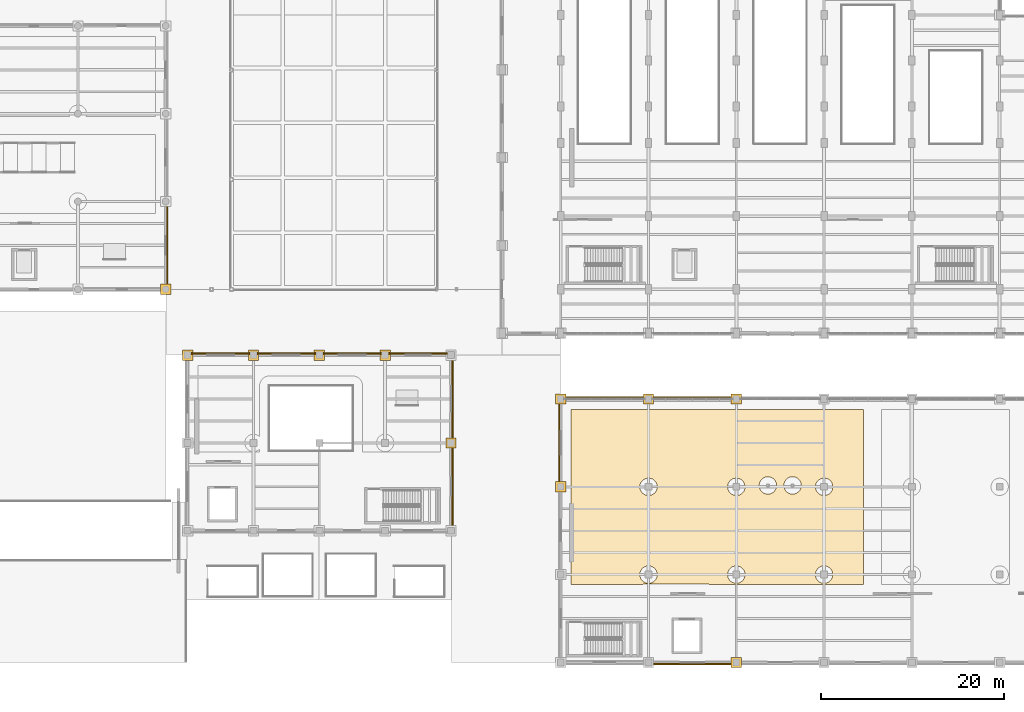
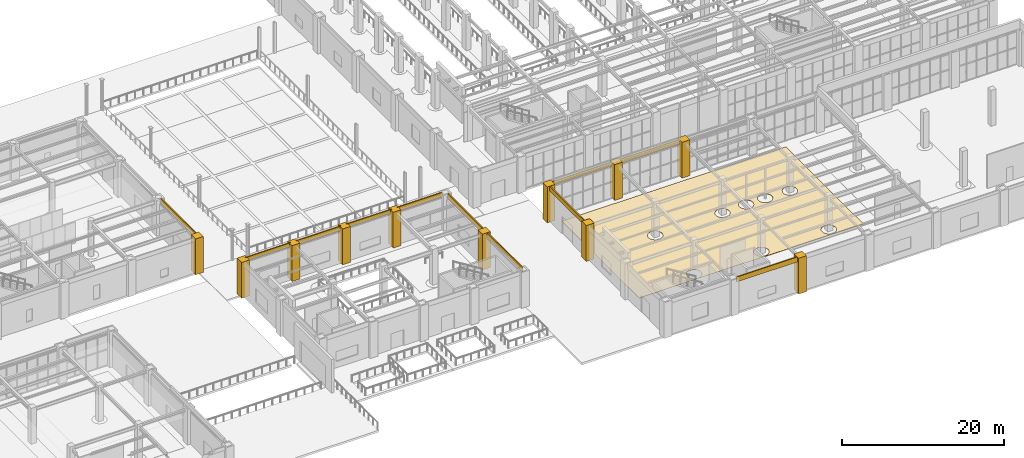
# One storey, part 150 of 164: 23 coverings.
"""IFC4 building model written with IfcOpenShell, lengths in metres."""

from ifc_helpers import new_model, si_unit, direction, frame, origin, place, context, subcontext, project, spatial, polyline, outline, extrude, material, layer, layer_set, type_object, element, save


model = new_model("IFC4")

# Units and contexts
model_context = context("Model", 3, precision=1e-05, world=origin(), true_north=direction((0.0, 1.0)))
body_context = subcontext(model_context, "Body", "Model", "MODEL_VIEW")
ifc_project = project(units=[si_unit("LENGTHUNIT", "METRE"), si_unit("AREAUNIT", "SQUARE_METRE"), si_unit("VOLUMEUNIT", "CUBIC_METRE"), si_unit("PLANEANGLEUNIT", "RADIAN"), si_unit("MASSUNIT", "GRAM", prefix="KILO")], contexts=[model_context])

# Site, building, storey
site_placement = place(None, origin())
site = spatial("IfcSite", under=ifc_project, at=site_placement, CompositionType="ELEMENT")
building_placement = place(site_placement, origin())
building = spatial("IfcBuilding", under=site, at=building_placement, Name="Mavantir Sound Aquarium", CompositionType="ELEMENT")
storey_placement = place(building_placement, origin())
storey = spatial("IfcBuildingStorey", under=building, at=storey_placement, Name="L00", CompositionType="ELEMENT", Elevation=0.0)

# Coverings
ifc_material_1 = material(Name="Honed Coral-Limestone & Glazed Terracotta Rainscreen Cladding", Category="masonry")
ifc_layer_1 = layer(ifc_material_1, 0.06005859375, Name="Honed Coral-Limestone & Glazed Terracotta Rainscreen Cladding")
ifc_layer_set_1 = layer_set([ifc_layer_1], Name="Honed Coral-Limestone & Glazed Terracotta Rainscreen Cladding")
covering_type_1 = type_object("IfcCoveringType", Name="COV-CLAD-TC", PredefinedType="CLADDING", material=ifc_layer_set_1)
covering_1_placement = place(storey_placement, frame((0.0, 0.0, 4.59912109375)))
element("IfcCovering", 1, at=covering_1_placement, inside=storey, type_object=covering_type_1, Name="L00 Postmodern coral-limestone spandrel frieze 31", PredefinedType="CLADDING", context=body_context, shape_type="SweptSolid", body=[
    extrude(outline(polyline([(64.889892578125, 41.18310546875), (64.889892578125, 50.01708984375), (65.0400390625, 50.01708984375), (65.0400390625, 41.18310546875), (64.889892578125, 41.18310546875)])), origin(), (0.0, 0.0, 1.0), 0.80078125),
])
covering_2_placement = place(storey_placement, frame((0.0, 0.0, 4.72802734375)))
element("IfcCovering", 2, at=covering_2_placement, inside=storey, type_object=covering_type_1, Name="L00 Postmodern coral-limestone spandrel frieze 131", PredefinedType="CLADDING", context=body_context, shape_type="SweptSolid", body=[
    extrude(outline(polyline([(126.81689453125, 28.889892578125), (117.98291015625, 28.889892578125), (117.98291015625, 29.0400390625), (126.81689453125, 29.0400390625), (126.81689453125, 28.889892578125)])), origin(), (0.0, 0.0, 1.0), 0.671875),
])
covering_3_placement = place(storey_placement, frame((0.0, 0.0, 4.8330078125)))
element("IfcCovering", 3, at=covering_3_placement, inside=storey, type_object=covering_type_1, Name="L00 Postmodern coral-limestone spandrel frieze 132", PredefinedType="CLADDING", context=body_context, shape_type="SweptSolid", body=[
    extrude(outline(polyline([(117.217041015625, 28.889892578125), (108.383056640625, 28.889892578125), (108.383056640625, 29.0400390625), (117.217041015625, 29.0400390625), (117.217041015625, 28.889892578125)])), origin(), (0.0, 0.0, 1.0), 0.56689453125),
])
covering_4_placement = place(storey_placement, frame((0.0, 0.0, 4.72802734375)))
element("IfcCovering", 4, at=covering_4_placement, inside=storey, type_object=covering_type_1, Name="L00 Postmodern coral-limestone spandrel frieze 133", PredefinedType="CLADDING", context=body_context, shape_type="SweptSolid", body=[
    extrude(outline(polyline([(107.909912109375, 28.4169921875), (107.909912109375, 19.5830078125), (107.760009765625, 19.5830078125), (107.760009765625, 28.4169921875), (107.909912109375, 28.4169921875)])), origin(), (0.0, 0.0, 1.0), 0.671875),
])
covering_5_placement = place(storey_placement, frame((0.0, 0.0, 4.657958984375)))
element("IfcCovering", 5, at=covering_5_placement, inside=storey, type_object=covering_type_1, Name="L00 Postmodern coral-limestone spandrel frieze 137", PredefinedType="CLADDING", context=body_context, shape_type="SweptSolid", body=[
    extrude(outline(polyline([(117.98291015625, -0.090087890625), (126.81689453125, -0.090087890625), (126.81689453125, -0.239990234375), (117.98291015625, -0.239990234375), (117.98291015625, -0.090087890625)])), origin(), (0.0, 0.0, 1.0), 0.741943359375),
])
covering_6_placement = place(storey_placement, frame((0.0, 0.0, 4.716064453125)))
element("IfcCovering", 6, at=covering_6_placement, inside=storey, type_object=covering_type_1, Name="L00 Postmodern coral-limestone spandrel frieze 143", PredefinedType="CLADDING", context=body_context, shape_type="SweptSolid", body=[
    extrude(outline(polyline([(96.090087890625, 14.782958984375), (96.090087890625, 23.616943359375), (96.239990234375, 23.616943359375), (96.239990234375, 14.782958984375), (96.090087890625, 14.782958984375)])), origin(), (0.0, 0.0, 1.0), 0.683837890625),
])
covering_7_placement = place(storey_placement, frame((0.0, 0.0, 4.59912109375)))
element("IfcCovering", 7, at=covering_7_placement, inside=storey, type_object=covering_type_1, Name="L00 Postmodern coral-limestone spandrel frieze 144", PredefinedType="CLADDING", context=body_context, shape_type="SweptSolid", body=[
    extrude(outline(polyline([(96.090087890625, 24.383056640625), (96.090087890625, 33.217041015625), (96.239990234375, 33.217041015625), (96.239990234375, 24.383056640625), (96.090087890625, 24.383056640625)])), origin(), (0.0, 0.0, 1.0), 0.80078125),
])
covering_8_placement = place(storey_placement, frame((0.0, 0.0, 4.7080078125)))
element("IfcCovering", 8, at=covering_8_placement, inside=storey, type_object=covering_type_1, Name="L00 Postmodern coral-limestone spandrel frieze 145", PredefinedType="CLADDING", context=body_context, shape_type="SweptSolid", body=[
    extrude(outline(polyline([(95.616943359375, 33.68994140625), (89.18310546875, 33.68994140625), (89.18310546875, 33.840087890625), (95.616943359375, 33.840087890625), (95.616943359375, 33.68994140625)])), origin(), (0.0, 0.0, 1.0), 0.69189453125),
])
covering_9_placement = place(storey_placement, frame((0.0, 0.0, 4.81298828125)))
element("IfcCovering", 9, at=covering_9_placement, inside=storey, type_object=covering_type_1, Name="L00 Postmodern coral-limestone spandrel frieze 146", PredefinedType="CLADDING", context=body_context, shape_type="SweptSolid", body=[
    extrude(outline(polyline([(88.4169921875, 33.68994140625), (81.98291015625, 33.68994140625), (81.98291015625, 33.840087890625), (88.4169921875, 33.840087890625), (88.4169921875, 33.68994140625)])), origin(), (0.0, 0.0, 1.0), 0.5869140625),
])
covering_10_placement = place(storey_placement, frame((0.0, 0.0, 4.7080078125)))
element("IfcCovering", 10, at=covering_10_placement, inside=storey, type_object=covering_type_1, Name="L00 Postmodern coral-limestone spandrel frieze 147", PredefinedType="CLADDING", context=body_context, shape_type="SweptSolid", body=[
    extrude(outline(polyline([(81.217041015625, 33.68994140625), (74.782958984375, 33.68994140625), (74.782958984375, 33.840087890625), (81.217041015625, 33.840087890625), (81.217041015625, 33.68994140625)])), origin(), (0.0, 0.0, 1.0), 0.69189453125),
])
covering_11_placement = place(storey_placement, frame((0.0, 0.0, 4.81298828125)))
element("IfcCovering", 11, at=covering_11_placement, inside=storey, type_object=covering_type_1, Name="L00 Postmodern coral-limestone spandrel frieze 148", PredefinedType="CLADDING", context=body_context, shape_type="SweptSolid", body=[
    extrude(outline(polyline([(74.01708984375, 33.68994140625), (67.5830078125, 33.68994140625), (67.5830078125, 33.840087890625), (74.01708984375, 33.840087890625), (74.01708984375, 33.68994140625)])), origin(), (0.0, 0.0, 1.0), 0.5869140625),
])
covering_12_placement = place(storey_placement, origin())
element("IfcCovering", 12, at=covering_12_placement, inside=storey, type_object=covering_type_1, Name="L00 Postmodern coral-limestone pilaster casing 151", PredefinedType="CLADDING", context=body_context, shape_type="SweptSolid", body=[
    extrude(outline(polyline([(64.239990234375, 40.239990234375), (65.360107421875, 40.239990234375), (65.360107421875, 41.360107421875), (64.239990234375, 41.360107421875), (64.239990234375, 40.239990234375)])), origin(), (0.0, 0.0, 1.0), 5.39990234375),
])
covering_13_placement = place(storey_placement, origin())
element("IfcCovering", 13, at=covering_13_placement, inside=storey, type_object=covering_type_1, Name="L00 Postmodern coral-limestone pilaster casing 425", PredefinedType="CLADDING", context=body_context, shape_type="SweptSolid", body=[
    extrude(outline(polyline([(107.43994140625, 18.639892578125), (108.56005859375, 18.639892578125), (108.56005859375, 19.760009765625), (107.43994140625, 19.760009765625), (107.43994140625, 18.639892578125)])), origin(), (0.0, 0.0, 1.0), 5.39990234375),
])
covering_14_placement = place(storey_placement, origin())
element("IfcCovering", 14, at=covering_14_placement, inside=storey, type_object=covering_type_1, Name="L00 Postmodern coral-limestone pilaster casing 429", PredefinedType="CLADDING", context=body_context, shape_type="SweptSolid", body=[
    extrude(outline(polyline([(107.43994140625, 28.239990234375), (108.56005859375, 28.239990234375), (108.56005859375, 29.360107421875), (107.43994140625, 29.360107421875), (107.43994140625, 28.239990234375)])), origin(), (0.0, 0.0, 1.0), 5.39990234375),
])
covering_15_placement = place(storey_placement, origin())
element("IfcCovering", 15, at=covering_15_placement, inside=storey, type_object=covering_type_1, Name="L00 Postmodern coral-limestone pilaster casing 437", PredefinedType="CLADDING", context=body_context, shape_type="SweptSolid", body=[
    extrude(outline(polyline([(117.0400390625, 28.239990234375), (118.159912109375, 28.239990234375), (118.159912109375, 29.360107421875), (117.0400390625, 29.360107421875), (117.0400390625, 28.239990234375)])), origin(), (0.0, 0.0, 1.0), 5.39990234375),
])
covering_16_placement = place(storey_placement, origin())
element("IfcCovering", 16, at=covering_16_placement, inside=storey, type_object=covering_type_1, Name="L00 Postmodern coral-limestone pilaster casing 438", PredefinedType="CLADDING", context=body_context, shape_type="SweptSolid", body=[
    extrude(outline(polyline([(126.639892578125, -0.56005859375), (127.760009765625, -0.56005859375), (127.760009765625, 0.56005859375), (126.639892578125, 0.56005859375), (126.639892578125, -0.56005859375)])), origin(), (0.0, 0.0, 1.0), 5.39990234375),
])
covering_17_placement = place(storey_placement, origin())
element("IfcCovering", 17, at=covering_17_placement, inside=storey, type_object=covering_type_1, Name="L00 Postmodern coral-limestone pilaster casing 446", PredefinedType="CLADDING", context=body_context, shape_type="SweptSolid", body=[
    extrude(outline(polyline([(126.639892578125, 28.239990234375), (127.760009765625, 28.239990234375), (127.760009765625, 29.360107421875), (126.639892578125, 29.360107421875), (126.639892578125, 28.239990234375)])), origin(), (0.0, 0.0, 1.0), 5.39990234375),
])
covering_18_placement = place(storey_placement, origin())
element("IfcCovering", 18, at=covering_18_placement, inside=storey, type_object=covering_type_1, Name="L00 Postmodern coral-limestone pilaster casing 471", PredefinedType="CLADDING", context=body_context, shape_type="SweptSolid", body=[
    extrude(outline(polyline([(66.639892578125, 33.0400390625), (67.760009765625, 33.0400390625), (67.760009765625, 34.159912109375), (66.639892578125, 34.159912109375), (66.639892578125, 33.0400390625)])), origin(), (0.0, 0.0, 1.0), 5.39990234375),
])
covering_19_placement = place(storey_placement, origin())
element("IfcCovering", 19, at=covering_19_placement, inside=storey, type_object=covering_type_1, Name="L00 Postmodern coral-limestone pilaster casing 475", PredefinedType="CLADDING", context=body_context, shape_type="SweptSolid", body=[
    extrude(outline(polyline([(73.840087890625, 33.0400390625), (74.9599609375, 33.0400390625), (74.9599609375, 34.159912109375), (73.840087890625, 34.159912109375), (73.840087890625, 33.0400390625)])), origin(), (0.0, 0.0, 1.0), 5.39990234375),
])
covering_20_placement = place(storey_placement, origin())
element("IfcCovering", 20, at=covering_20_placement, inside=storey, type_object=covering_type_1, Name="L00 Postmodern coral-limestone pilaster casing 479", PredefinedType="CLADDING", context=body_context, shape_type="SweptSolid", body=[
    extrude(outline(polyline([(81.0400390625, 33.0400390625), (82.159912109375, 33.0400390625), (82.159912109375, 34.159912109375), (81.0400390625, 34.159912109375), (81.0400390625, 33.0400390625)])), origin(), (0.0, 0.0, 1.0), 5.39990234375),
])
covering_21_placement = place(storey_placement, origin())
element("IfcCovering", 21, at=covering_21_placement, inside=storey, type_object=covering_type_1, Name="L00 Postmodern coral-limestone pilaster casing 483", PredefinedType="CLADDING", context=body_context, shape_type="SweptSolid", body=[
    extrude(outline(polyline([(88.239990234375, 33.0400390625), (89.360107421875, 33.0400390625), (89.360107421875, 34.159912109375), (88.239990234375, 34.159912109375), (88.239990234375, 33.0400390625)])), origin(), (0.0, 0.0, 1.0), 5.39990234375),
])
covering_22_placement = place(storey_placement, origin())
element("IfcCovering", 22, at=covering_22_placement, inside=storey, type_object=covering_type_1, Name="L00 Postmodern coral-limestone pilaster casing 487", PredefinedType="CLADDING", context=body_context, shape_type="SweptSolid", body=[
    extrude(outline(polyline([(95.43994140625, 23.43994140625), (96.56005859375, 23.43994140625), (96.56005859375, 24.56005859375), (95.43994140625, 24.56005859375), (95.43994140625, 23.43994140625)])), origin(), (0.0, 0.0, 1.0), 5.39990234375),
])
ifc_material_2 = material(Name="Marine Epoxy Recycled-Shell Terrazzo Flooring")
ifc_layer_2 = layer(ifc_material_2, 0.030029296875, Name="Marine Epoxy Recycled-Shell Terrazzo Flooring")
ifc_layer_set_2 = layer_set([ifc_layer_2], Name="Marine Epoxy Recycled-Shell Terrazzo Flooring")
covering_type_2 = type_object("IfcCoveringType", Name="COV-FLR-TZ", PredefinedType="FLOORING", material=ifc_layer_set_2)
covering_23_placement = place(storey_placement, origin())
element("IfcCovering", 23, at=covering_23_placement, inside=storey, type_object=covering_type_2, Name="L00 Marine Quarantine and Veterinary Hospital Suite terrazzo flooring", PredefinedType="FLOORING", context=body_context, shape_type="SweptSolid", body=[
    extrude(outline(polyline([(124.375732421875, 8.5029296875), (124.3701171875, 8.5048828125), (124.281982421875, 8.531494140625), (124.2763671875, 8.53271484375), (124.19970703125, 8.548095703125), (124.19384765625, 8.549072265625), (124.1015625, 8.55859375), (124.095703125, 8.558837890625), (124.050048828125, 8.56005859375), (119.949951171875, 8.56005859375), (119.9453125, 8.56005859375), (109.139892578125, 8.504638671875), (109.139892578125, 27.659912109375), (141.10009765625, 27.659912109375), (141.10009765625, 8.5), (124.3828125, 8.5), (124.375732421875, 8.5029296875)]), holes=[polyline([(118.271728515625, 8.92822265625), (118.33447265625, 8.997314453125), (118.389892578125, 9.072265625), (118.437744140625, 9.152099609375), (118.477783203125, 9.236572265625), (118.509033203125, 9.32421875), (118.53173828125, 9.414794921875), (118.54541015625, 9.5068359375), (118.550048828125, 9.60009765625), (118.54541015625, 9.693115234375), (118.53173828125, 9.785400390625), (118.509033203125, 9.875732421875), (118.477783203125, 9.96337890625), (118.437744140625, 10.0478515625), (118.389892578125, 10.127685546875), (118.33447265625, 10.20263671875), (118.271728515625, 10.271728515625), (118.20263671875, 10.33447265625), (118.127685546875, 10.389892578125), (118.0478515625, 10.437744140625), (117.96337890625, 10.477783203125), (117.875732421875, 10.509033203125), (117.785400390625, 10.53173828125), (117.693115234375, 10.54541015625), (117.60009765625, 10.550048828125), (117.5068359375, 10.54541015625), (117.414794921875, 10.53173828125), (117.32421875, 10.509033203125), (117.236572265625, 10.477783203125), (117.152099609375, 10.437744140625), (117.072265625, 10.389892578125), (116.997314453125, 10.33447265625), (116.92822265625, 10.271728515625), (116.865478515625, 10.20263671875), (116.81005859375, 10.127685546875), (116.76220703125, 10.0478515625), (116.722412109375, 9.96337890625), (116.69091796875, 9.875732421875), (116.668212890625, 9.785400390625), (116.654541015625, 9.693115234375), (116.64990234375, 9.60009765625), (116.654541015625, 9.5068359375), (116.668212890625, 9.414794921875), (116.69091796875, 9.32421875), (116.722412109375, 9.236572265625), (116.76220703125, 9.152099609375), (116.81005859375, 9.072265625), (116.865478515625, 8.997314453125), (116.92822265625, 8.92822265625), (116.997314453125, 8.865478515625), (117.072265625, 8.81005859375), (117.152099609375, 8.76220703125), (117.236572265625, 8.722412109375), (117.32421875, 8.69091796875), (117.414794921875, 8.668212890625), (117.5068359375, 8.654541015625), (117.60009765625, 8.64990234375), (117.693115234375, 8.654541015625), (117.785400390625, 8.668212890625), (117.875732421875, 8.69091796875), (117.96337890625, 8.722412109375), (118.0478515625, 8.76220703125), (118.127685546875, 8.81005859375), (118.20263671875, 8.865478515625), (118.271728515625, 8.92822265625)]), polyline([(137.534423828125, 8.997314453125), (137.58984375, 9.072265625), (137.6376953125, 9.152099609375), (137.677734375, 9.236572265625), (137.708984375, 9.32421875), (137.731689453125, 9.414794921875), (137.745361328125, 9.5068359375), (137.75, 9.60009765625), (137.745361328125, 9.693115234375), (137.731689453125, 9.785400390625), (137.708984375, 9.875732421875), (137.677734375, 9.96337890625), (137.6376953125, 10.0478515625), (137.58984375, 10.127685546875), (137.534423828125, 10.20263671875), (137.4716796875, 10.271728515625), (137.402587890625, 10.33447265625), (137.327880859375, 10.389892578125), (137.247802734375, 10.437744140625), (137.16357421875, 10.477783203125), (137.07568359375, 10.509033203125), (136.9853515625, 10.53173828125), (136.89306640625, 10.54541015625), (136.800048828125, 10.550048828125), (136.706787109375, 10.54541015625), (136.61474609375, 10.53173828125), (136.524169921875, 10.509033203125), (136.4365234375, 10.477783203125), (136.352294921875, 10.437744140625), (136.272216796875, 10.389892578125), (136.197265625, 10.33447265625), (136.128173828125, 10.271728515625), (136.065673828125, 10.20263671875), (136.010009765625, 10.127685546875), (135.962158203125, 10.0478515625), (135.92236328125, 9.96337890625), (135.890869140625, 9.875732421875), (135.868408203125, 9.785400390625), (135.8544921875, 9.693115234375), (135.85009765625, 9.60009765625), (135.8544921875, 9.5068359375), (135.868408203125, 9.414794921875), (135.890869140625, 9.32421875), (135.92236328125, 9.236572265625), (135.962158203125, 9.152099609375), (136.010009765625, 9.072265625), (136.065673828125, 8.997314453125), (136.128173828125, 8.92822265625), (136.197265625, 8.865478515625), (136.272216796875, 8.81005859375), (136.352294921875, 8.76220703125), (136.4365234375, 8.722412109375), (136.524169921875, 8.69091796875), (136.61474609375, 8.668212890625), (136.706787109375, 8.654541015625), (136.800048828125, 8.64990234375), (136.89306640625, 8.654541015625), (136.9853515625, 8.668212890625), (137.07568359375, 8.69091796875), (137.16357421875, 8.722412109375), (137.247802734375, 8.76220703125), (137.327880859375, 8.81005859375), (137.402587890625, 8.865478515625), (137.4716796875, 8.92822265625), (137.534423828125, 8.997314453125)]), polyline([(127.934326171875, 8.997314453125), (127.989990234375, 9.072265625), (128.037841796875, 9.152099609375), (128.07763671875, 9.236572265625), (128.109130859375, 9.32421875), (128.131591796875, 9.414794921875), (128.1455078125, 9.5068359375), (128.14990234375, 9.60009765625), (128.1455078125, 9.693115234375), (128.131591796875, 9.785400390625), (128.109130859375, 9.875732421875), (128.07763671875, 9.96337890625), (128.037841796875, 10.0478515625), (127.989990234375, 10.127685546875), (127.934326171875, 10.20263671875), (127.871826171875, 10.271728515625), (127.802734375, 10.33447265625), (127.727783203125, 10.389892578125), (127.647705078125, 10.437744140625), (127.5634765625, 10.477783203125), (127.475830078125, 10.509033203125), (127.38525390625, 10.53173828125), (127.293212890625, 10.54541015625), (127.199951171875, 10.550048828125), (127.10693359375, 10.54541015625), (127.0146484375, 10.53173828125), (126.92431640625, 10.509033203125), (126.83642578125, 10.477783203125), (126.752197265625, 10.437744140625), (126.672119140625, 10.389892578125), (126.597412109375, 10.33447265625), (126.5283203125, 10.271728515625), (126.465576171875, 10.20263671875), (126.41015625, 10.127685546875), (126.3623046875, 10.0478515625), (126.322265625, 9.96337890625), (126.291015625, 9.875732421875), (126.268310546875, 9.785400390625), (126.254638671875, 9.693115234375), (126.25, 9.60009765625), (126.254638671875, 9.5068359375), (126.268310546875, 9.414794921875), (126.291015625, 9.32421875), (126.322265625, 9.236572265625), (126.3623046875, 9.152099609375), (126.41015625, 9.072265625), (126.465576171875, 8.997314453125), (126.5283203125, 8.92822265625), (126.597412109375, 8.865478515625), (126.672119140625, 8.81005859375), (126.752197265625, 8.76220703125), (126.83642578125, 8.722412109375), (126.92431640625, 8.69091796875), (127.0146484375, 8.668212890625), (127.10693359375, 8.654541015625), (127.199951171875, 8.64990234375), (127.293212890625, 8.654541015625), (127.38525390625, 8.668212890625), (127.475830078125, 8.69091796875), (127.5634765625, 8.722412109375), (127.647705078125, 8.76220703125), (127.727783203125, 8.81005859375), (127.802734375, 8.865478515625), (127.871826171875, 8.92822265625), (127.934326171875, 8.997314453125)]), polyline([(118.33447265625, 18.597412109375), (118.389892578125, 18.672119140625), (118.437744140625, 18.752197265625), (118.477783203125, 18.83642578125), (118.509033203125, 18.92431640625), (118.53173828125, 19.0146484375), (118.54541015625, 19.10693359375), (118.550048828125, 19.199951171875), (118.54541015625, 19.293212890625), (118.53173828125, 19.38525390625), (118.509033203125, 19.475830078125), (118.477783203125, 19.5634765625), (118.437744140625, 19.647705078125), (118.389892578125, 19.727783203125), (118.33447265625, 19.802734375), (118.271728515625, 19.871826171875), (118.20263671875, 19.934326171875), (118.127685546875, 19.989990234375), (118.0478515625, 20.037841796875), (117.96337890625, 20.07763671875), (117.875732421875, 20.109130859375), (117.785400390625, 20.131591796875), (117.693115234375, 20.1455078125), (117.60009765625, 20.14990234375), (117.5068359375, 20.1455078125), (117.414794921875, 20.131591796875), (117.32421875, 20.109130859375), (117.236572265625, 20.07763671875), (117.152099609375, 20.037841796875), (117.072265625, 19.989990234375), (116.997314453125, 19.934326171875), (116.92822265625, 19.871826171875), (116.865478515625, 19.802734375), (116.81005859375, 19.727783203125), (116.76220703125, 19.647705078125), (116.722412109375, 19.5634765625), (116.69091796875, 19.475830078125), (116.668212890625, 19.38525390625), (116.654541015625, 19.293212890625), (116.64990234375, 19.199951171875), (116.654541015625, 19.10693359375), (116.668212890625, 19.0146484375), (116.69091796875, 18.92431640625), (116.722412109375, 18.83642578125), (116.76220703125, 18.752197265625), (116.81005859375, 18.672119140625), (116.865478515625, 18.597412109375), (116.92822265625, 18.5283203125), (116.997314453125, 18.465576171875), (117.072265625, 18.41015625), (117.152099609375, 18.3623046875), (117.236572265625, 18.322265625), (117.32421875, 18.291015625), (117.414794921875, 18.268310546875), (117.5068359375, 18.254638671875), (117.60009765625, 18.25), (117.693115234375, 18.254638671875), (117.785400390625, 18.268310546875), (117.875732421875, 18.291015625), (117.96337890625, 18.322265625), (118.0478515625, 18.3623046875), (118.127685546875, 18.41015625), (118.20263671875, 18.465576171875), (118.271728515625, 18.5283203125), (118.33447265625, 18.597412109375)]), polyline([(137.534423828125, 18.597412109375), (137.58984375, 18.672119140625), (137.6376953125, 18.752197265625), (137.677734375, 18.83642578125), (137.708984375, 18.92431640625), (137.731689453125, 19.0146484375), (137.745361328125, 19.10693359375), (137.75, 19.199951171875), (137.745361328125, 19.293212890625), (137.731689453125, 19.38525390625), (137.708984375, 19.475830078125), (137.677734375, 19.5634765625), (137.6376953125, 19.647705078125), (137.58984375, 19.727783203125), (137.534423828125, 19.802734375), (137.4716796875, 19.871826171875), (137.402587890625, 19.934326171875), (137.327880859375, 19.989990234375), (137.247802734375, 20.037841796875), (137.16357421875, 20.07763671875), (137.07568359375, 20.109130859375), (136.9853515625, 20.131591796875), (136.89306640625, 20.1455078125), (136.800048828125, 20.14990234375), (136.706787109375, 20.1455078125), (136.61474609375, 20.131591796875), (136.524169921875, 20.109130859375), (136.4365234375, 20.07763671875), (136.352294921875, 20.037841796875), (136.272216796875, 19.989990234375), (136.197265625, 19.934326171875), (136.128173828125, 19.871826171875), (136.065673828125, 19.802734375), (136.010009765625, 19.727783203125), (135.962158203125, 19.647705078125), (135.92236328125, 19.5634765625), (135.890869140625, 19.475830078125), (135.868408203125, 19.38525390625), (135.8544921875, 19.293212890625), (135.85009765625, 19.199951171875), (135.8544921875, 19.10693359375), (135.868408203125, 19.0146484375), (135.890869140625, 18.92431640625), (135.92236328125, 18.83642578125), (135.962158203125, 18.752197265625), (136.010009765625, 18.672119140625), (136.065673828125, 18.597412109375), (136.128173828125, 18.5283203125), (136.197265625, 18.465576171875), (136.272216796875, 18.41015625), (136.352294921875, 18.3623046875), (136.4365234375, 18.322265625), (136.524169921875, 18.291015625), (136.61474609375, 18.268310546875), (136.706787109375, 18.254638671875), (136.800048828125, 18.25), (136.89306640625, 18.254638671875), (136.9853515625, 18.268310546875), (137.07568359375, 18.291015625), (137.16357421875, 18.322265625), (137.247802734375, 18.3623046875), (137.327880859375, 18.41015625), (137.402587890625, 18.465576171875), (137.4716796875, 18.5283203125), (137.534423828125, 18.597412109375)]), polyline([(127.934326171875, 18.597412109375), (127.989990234375, 18.672119140625), (128.037841796875, 18.752197265625), (128.07763671875, 18.83642578125), (128.109130859375, 18.92431640625), (128.131591796875, 19.0146484375), (128.1455078125, 19.10693359375), (128.14990234375, 19.199951171875), (128.1455078125, 19.293212890625), (128.131591796875, 19.38525390625), (128.109130859375, 19.475830078125), (128.07763671875, 19.5634765625), (128.037841796875, 19.647705078125), (127.989990234375, 19.727783203125), (127.934326171875, 19.802734375), (127.871826171875, 19.871826171875), (127.802734375, 19.934326171875), (127.727783203125, 19.989990234375), (127.647705078125, 20.037841796875), (127.5634765625, 20.07763671875), (127.475830078125, 20.109130859375), (127.38525390625, 20.131591796875), (127.293212890625, 20.1455078125), (127.199951171875, 20.14990234375), (127.10693359375, 20.1455078125), (127.0146484375, 20.131591796875), (126.92431640625, 20.109130859375), (126.83642578125, 20.07763671875), (126.752197265625, 20.037841796875), (126.672119140625, 19.989990234375), (126.597412109375, 19.934326171875), (126.5283203125, 19.871826171875), (126.465576171875, 19.802734375), (126.41015625, 19.727783203125), (126.3623046875, 19.647705078125), (126.322265625, 19.5634765625), (126.291015625, 19.475830078125), (126.268310546875, 19.38525390625), (126.254638671875, 19.293212890625), (126.25, 19.199951171875), (126.254638671875, 19.10693359375), (126.268310546875, 19.0146484375), (126.291015625, 18.92431640625), (126.322265625, 18.83642578125), (126.3623046875, 18.752197265625), (126.41015625, 18.672119140625), (126.465576171875, 18.597412109375), (126.5283203125, 18.5283203125), (126.597412109375, 18.465576171875), (126.672119140625, 18.41015625), (126.752197265625, 18.3623046875), (126.83642578125, 18.322265625), (126.92431640625, 18.291015625), (127.0146484375, 18.268310546875), (127.10693359375, 18.254638671875), (127.199951171875, 18.25), (127.293212890625, 18.254638671875), (127.38525390625, 18.268310546875), (127.475830078125, 18.291015625), (127.5634765625, 18.322265625), (127.647705078125, 18.3623046875), (127.727783203125, 18.41015625), (127.802734375, 18.465576171875), (127.871826171875, 18.5283203125), (127.934326171875, 18.597412109375)]), polyline([(134.08447265625, 18.747314453125), (134.139892578125, 18.822265625), (134.187744140625, 18.902099609375), (134.227783203125, 18.986572265625), (134.259033203125, 19.07421875), (134.28173828125, 19.164794921875), (134.29541015625, 19.2568359375), (134.300048828125, 19.35009765625), (134.29541015625, 19.443115234375), (134.28173828125, 19.535400390625), (134.259033203125, 19.625732421875), (134.227783203125, 19.71337890625), (134.187744140625, 19.7978515625), (134.139892578125, 19.877685546875), (134.08447265625, 19.95263671875), (134.021728515625, 20.021728515625), (133.95263671875, 20.08447265625), (133.877685546875, 20.139892578125), (133.7978515625, 20.187744140625), (133.71337890625, 20.227783203125), (133.625732421875, 20.259033203125), (133.535400390625, 20.28173828125), (133.443115234375, 20.29541015625), (133.35009765625, 20.300048828125), (133.2568359375, 20.29541015625), (133.164794921875, 20.28173828125), (133.07421875, 20.259033203125), (132.986572265625, 20.227783203125), (132.902099609375, 20.187744140625), (132.822265625, 20.139892578125), (132.747314453125, 20.08447265625), (132.67822265625, 20.021728515625), (132.615478515625, 19.95263671875), (132.56005859375, 19.877685546875), (132.51220703125, 19.7978515625), (132.472412109375, 19.71337890625), (132.44091796875, 19.625732421875), (132.418212890625, 19.535400390625), (132.404541015625, 19.443115234375), (132.39990234375, 19.35009765625), (132.404541015625, 19.2568359375), (132.418212890625, 19.164794921875), (132.44091796875, 19.07421875), (132.472412109375, 18.986572265625), (132.51220703125, 18.902099609375), (132.56005859375, 18.822265625), (132.615478515625, 18.747314453125), (132.67822265625, 18.67822265625), (132.747314453125, 18.615478515625), (132.822265625, 18.56005859375), (132.902099609375, 18.51220703125), (132.986572265625, 18.472412109375), (133.07421875, 18.44091796875), (133.164794921875, 18.418212890625), (133.2568359375, 18.404541015625), (133.35009765625, 18.39990234375), (133.443115234375, 18.404541015625), (133.535400390625, 18.418212890625), (133.625732421875, 18.44091796875), (133.71337890625, 18.472412109375), (133.7978515625, 18.51220703125), (133.877685546875, 18.56005859375), (133.95263671875, 18.615478515625), (134.021728515625, 18.67822265625), (134.08447265625, 18.747314453125)]), polyline([(131.384521484375, 18.747314453125), (131.43994140625, 18.822265625), (131.48779296875, 18.902099609375), (131.527587890625, 18.986572265625), (131.55908203125, 19.07421875), (131.581787109375, 19.164794921875), (131.595458984375, 19.2568359375), (131.60009765625, 19.35009765625), (131.595458984375, 19.443115234375), (131.581787109375, 19.535400390625), (131.55908203125, 19.625732421875), (131.527587890625, 19.71337890625), (131.48779296875, 19.7978515625), (131.43994140625, 19.877685546875), (131.384521484375, 19.95263671875), (131.32177734375, 20.021728515625), (131.252685546875, 20.08447265625), (131.177734375, 20.139892578125), (131.097900390625, 20.187744140625), (131.013427734375, 20.227783203125), (130.92578125, 20.259033203125), (130.835205078125, 20.28173828125), (130.7431640625, 20.29541015625), (130.64990234375, 20.300048828125), (130.556884765625, 20.29541015625), (130.464599609375, 20.28173828125), (130.374267578125, 20.259033203125), (130.28662109375, 20.227783203125), (130.2021484375, 20.187744140625), (130.122314453125, 20.139892578125), (130.04736328125, 20.08447265625), (129.978271484375, 20.021728515625), (129.91552734375, 19.95263671875), (129.860107421875, 19.877685546875), (129.812255859375, 19.7978515625), (129.772216796875, 19.71337890625), (129.740966796875, 19.625732421875), (129.71826171875, 19.535400390625), (129.70458984375, 19.443115234375), (129.699951171875, 19.35009765625), (129.70458984375, 19.2568359375), (129.71826171875, 19.164794921875), (129.740966796875, 19.07421875), (129.772216796875, 18.986572265625), (129.812255859375, 18.902099609375), (129.860107421875, 18.822265625), (129.91552734375, 18.747314453125), (129.978271484375, 18.67822265625), (130.04736328125, 18.615478515625), (130.122314453125, 18.56005859375), (130.2021484375, 18.51220703125), (130.28662109375, 18.472412109375), (130.374267578125, 18.44091796875), (130.464599609375, 18.418212890625), (130.556884765625, 18.404541015625), (130.64990234375, 18.39990234375), (130.7431640625, 18.404541015625), (130.835205078125, 18.418212890625), (130.92578125, 18.44091796875), (131.013427734375, 18.472412109375), (131.097900390625, 18.51220703125), (131.177734375, 18.56005859375), (131.252685546875, 18.615478515625), (131.32177734375, 18.67822265625), (131.384521484375, 18.747314453125)])]), origin(), (0.0, 0.0, 1.0), 0.030029296875),
])

save(model, "model.ifc")
